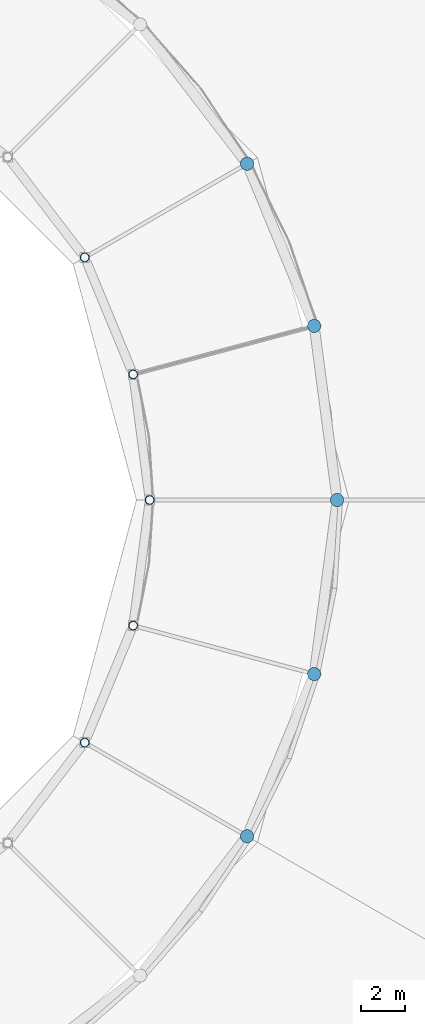
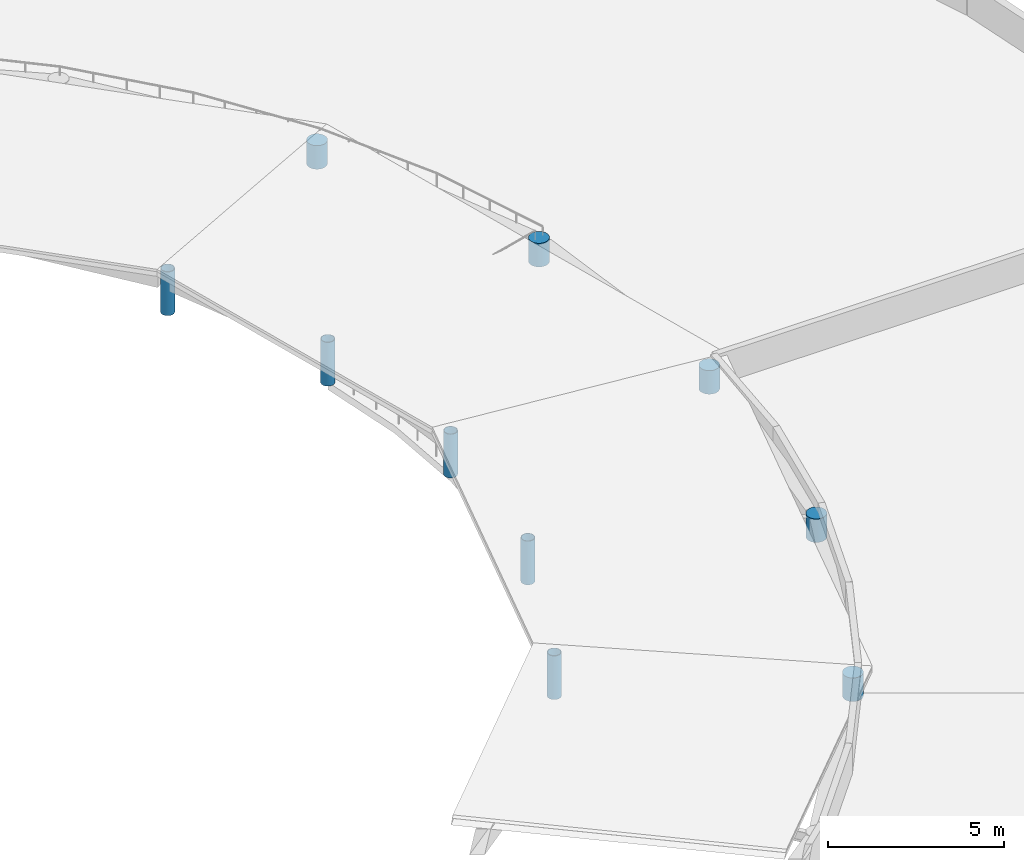
# One storey, part 5 of 77: 10 columns.
"""IFC4 building model written with IfcOpenShell, lengths in metres."""

from ifc_helpers import new_model, si_unit, direction, frame, origin, origin_2d, place, context, subcontext, project, spatial, circle, hollow_circle, extrude, material, material_profile, profile_set, type_object, element, save


model = new_model("IFC4")

# Units and contexts
model_context = context("Model", 3, precision=1e-05, world=origin(), true_north=direction((0.0, 1.0)))
body_context = subcontext(model_context, "Body", "Model", "MODEL_VIEW")
ifc_project = project(units=[si_unit("LENGTHUNIT", "METRE"), si_unit("AREAUNIT", "SQUARE_METRE"), si_unit("VOLUMEUNIT", "CUBIC_METRE"), si_unit("PLANEANGLEUNIT", "RADIAN"), si_unit("MASSUNIT", "GRAM", prefix="KILO")], contexts=[model_context])

# Site, building, storey
site_placement = place(None, origin())
site = spatial("IfcSite", under=ifc_project, at=site_placement, CompositionType="ELEMENT")
building_placement = place(site_placement, origin())
building = spatial("IfcBuilding", under=site, at=building_placement, Name="Larkveld Mobility Hub", CompositionType="ELEMENT")
storey_placement = place(building_placement, frame((0.0, 0.0, 12.0)))
storey = spatial("IfcBuildingStorey", under=building, at=storey_placement, Name="L03", CompositionType="ELEMENT", Elevation=12.0)

# Columns
ifc_material_1 = material(Name="Concrete C40/50", Category="concrete")
ifc_material_profile_1 = material_profile(ifc_material_1, circle(Radius=0.300048828125, at=origin_2d()), Name="RC COL D600")
ifc_profile_set_1 = profile_set([ifc_material_profile_1], Name="Concrete C40/50")
column_type_1 = type_object("IfcColumnType", Name="CL-RCD600", PredefinedType="COLUMN", material=ifc_profile_set_1)
for number, where, z_axis, x_axis, name in (
    (1, (78.5, 48.0, 0.0), (0.0, 0.0, 1.0), (1.0, 0.0, 0.0), "Column DRM-R30-K00 (L03)"),
    (2, (77.4609375, 55.89404296875, 0.0), (0.0, 0.0, 1.0), (1.0, 0.0, 0.0), "Column DRM-R30-K02 (L03)"),
    (3, (74.4140625, 63.25, 0.0), (0.0, 0.0, 1.0), (1.0, 0.0, 0.0), "Column DRM-R30-K04 (L03)"),
    (4, (74.4140625, 32.75, 0.0), (0.0, 0.0, 1.0), (1.0, 0.0, 0.0), "Column DRM-R30-K44 (L03)"),
    (5, (77.4609375, 40.10595703125, 0.0), (0.0, 0.0, 1.0), (1.0, 0.0, 0.0), "Column DRM-R30-K46 (L03)"),
):
    element("IfcColumn", number, at=place(storey_placement, frame(where, z_axis=z_axis, x_axis=x_axis)), inside=storey, type_object=column_type_1, Name=name, PredefinedType="COLUMN", context=body_context, shape_type="SweptSolid", body=[
        extrude(circle(Radius=0.300048828125, at=origin_2d()), origin(), (0.0, 0.0, 1.0), 0.820068359375),
    ])
ifc_material_2 = material(Name="Steel S355JR", Category="steel")
ifc_material_profile_2 = material_profile(ifc_material_2, hollow_circle(Radius=0.203125, WallThickness=0.01611328125, at=origin_2d()), Name="CHS 406.4x16")
ifc_profile_set_2 = profile_set([ifc_material_profile_2], Name="Steel S355JR")
column_type_2 = type_object("IfcColumnType", Name="CL-STCHS406", PredefinedType="COLUMN", material=ifc_profile_set_2)
for number, where, z_axis, x_axis, name in (
    (6, (70.0, 48.0, 0.0), (0.0, 0.0, 1.0), (1.0, 0.0, 0.0), "Column DRM-R22-K00 (L03)"),
    (7, (69.25, 53.694091796875, 0.0), (0.0, 0.0, 1.0), (1.0, 0.0, 0.0), "Column DRM-R22-K02 (L03)"),
    (8, (67.052978515625, 59.0, 0.0), (0.0, 0.0, 1.0), (1.0, 0.0, 0.0), "Column DRM-R22-K04 (L03)"),
    (9, (67.052978515625, 37.0, 0.0), (0.0, 0.0, 1.0), (1.0, 0.0, 0.0), "Column DRM-R22-K44 (L03)"),
    (10, (69.25, 42.305908203125, 0.0), (0.0, 0.0, 1.0), (1.0, 0.0, 0.0), "Column DRM-R22-K46 (L03)"),
):
    element("IfcColumn", number, at=place(storey_placement, frame(where, z_axis=z_axis, x_axis=x_axis)), inside=storey, type_object=column_type_2, Name=name, PredefinedType="COLUMN", context=body_context, shape_type="SweptSolid", body=[
        extrude(hollow_circle(Radius=0.203125, WallThickness=0.01611328125, at=origin_2d()), origin(), (0.0, 0.0, 1.0), 1.52001953125),
    ])

save(model, "model.ifc")
